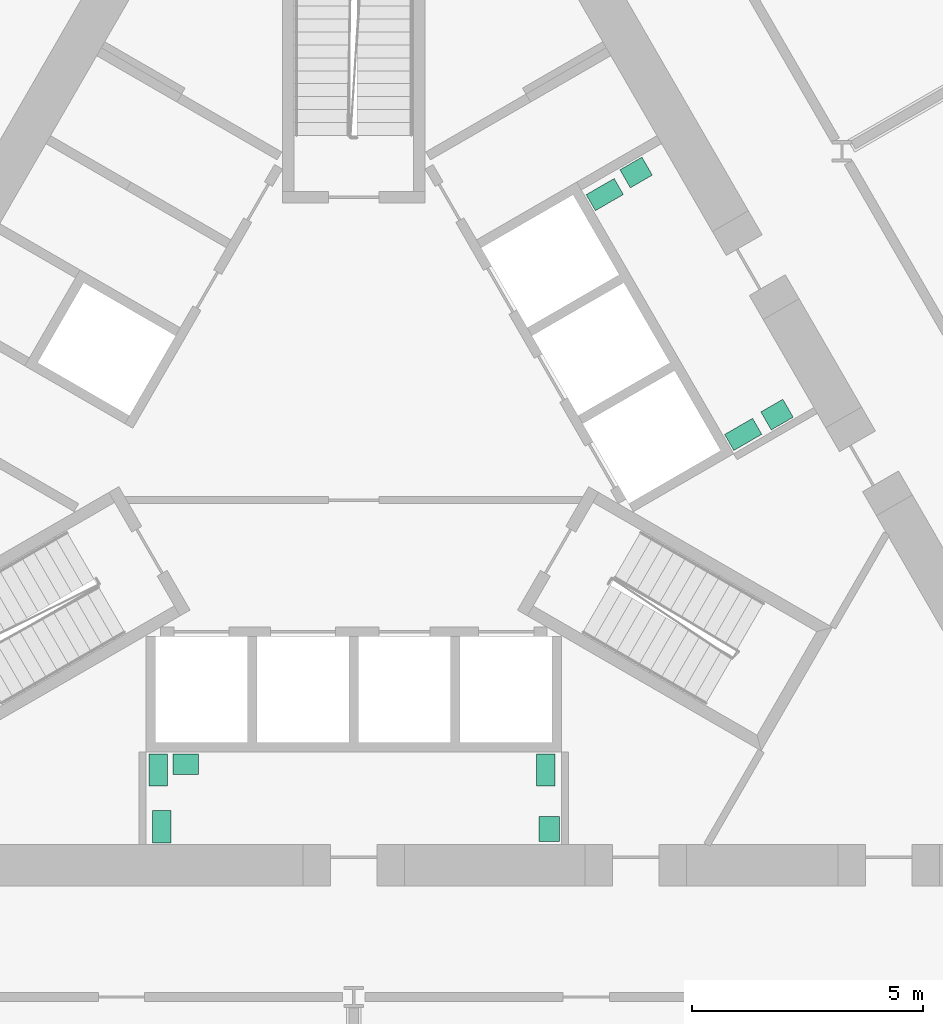
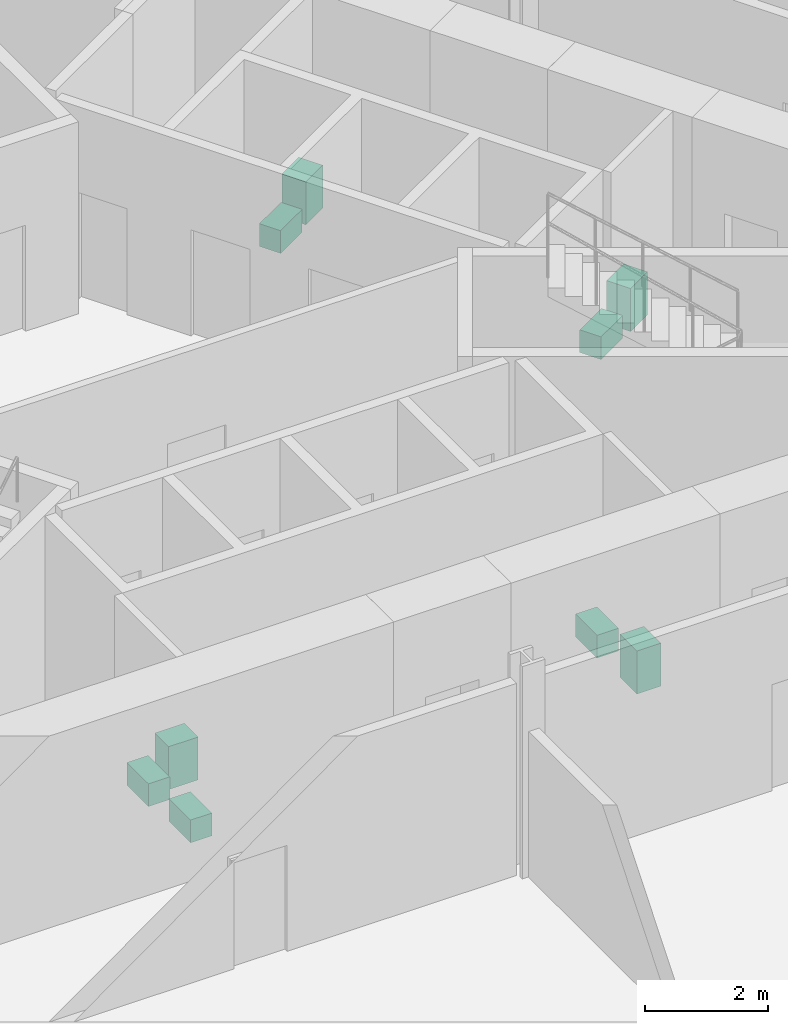
# One storey, part 19 of 20: 9 sanitary terminals.
"""IFC4 building model written with IfcOpenShell, lengths in metres."""

from ifc_helpers import new_model, si_unit, direction, frame, origin, origin_2d, place, context, subcontext, project, spatial, rectangle, extrude, material, type_object, element, save


model = new_model("IFC4")

# Units and contexts
model_context = context("Model", 3, precision=1e-05, world=origin(), true_north=direction((0.0, 1.0)))
body_context = subcontext(model_context, "Body", "Model", "MODEL_VIEW")
ifc_project = project(units=[si_unit("LENGTHUNIT", "METRE"), si_unit("AREAUNIT", "SQUARE_METRE"), si_unit("VOLUMEUNIT", "CUBIC_METRE"), si_unit("PLANEANGLEUNIT", "RADIAN"), si_unit("MASSUNIT", "GRAM", prefix="KILO")], contexts=[model_context])

# Site, building, storey
site_placement = place(None, origin())
site = spatial("IfcSite", under=ifc_project, at=site_placement, CompositionType="ELEMENT")
building_placement = place(site_placement, origin())
building = spatial("IfcBuilding", under=site, at=building_placement, Name="Cormorant Prow Tower", CompositionType="ELEMENT")
storey_placement = place(building_placement, frame((0.0, 0.0, 59.39990234375)))
storey = spatial("IfcBuildingStorey", under=building, at=storey_placement, Name="L12", CompositionType="ELEMENT", Elevation=59.39990234375)

# Sanitary terminals
ifc_material_1 = material(Name="Vitreous china")
sanitary_terminal_type_1 = type_object("IfcSanitaryTerminalType", Name="Wash basin 550x450", PredefinedType="WASHHANDBASIN", material=ifc_material_1)
for number, where, z_axis, x_axis, name in (
    (1, (4.235107421875, -8.574951171875, 0.0), (0.0, 0.0, 1.0), (0.0, 1.0, 0.0), "Wash basin"),
    (2, (-3.639892578125, -7.1708984375, 0.0), (0.0, 0.0, 1.0), (-1.0, 0.0, 0.0), "Wash basin"),
    (3, (6.118896484375, 5.651611328125, 0.0), (0.0, 0.0, 1.0), (-0.866042856549, -0.499969769706, 0.0), "Wash basin"),
    (4, (9.172119140625, 0.405517578125, 0.0), (0.0, 0.0, 1.0), (0.866016677006, 0.500015114919, 0.0), "Wash basin"),
):
    element("IfcSanitaryTerminal", number, at=place(storey_placement, frame(where, z_axis=z_axis, x_axis=x_axis)), inside=storey, type_object=sanitary_terminal_type_1, Name=name, PredefinedType="WASHHANDBASIN", context=body_context, shape_type="SweptSolid", body=[
        extrude(rectangle(XDim=0.550048828125, YDim=0.449951171875, at=origin_2d()), origin(), (0.0, 0.0, 1.0), 0.85009765625),
    ])
ifc_material_2 = material(Name="Vitreous china")
sanitary_terminal_type_2 = type_object("IfcSanitaryTerminalType", Name="Water closet 400x700", PredefinedType="WCSEAT", material=ifc_material_2)
for number, where, z_axis, x_axis, name in (
    (5, (-4.239990234375, -7.2958984375, 0.0), (0.0, 0.0, 1.0), (-1.0, 0.0, 0.0), "Water closet"),
    (6, (4.159912109375, -7.2958984375, 0.0), (0.0, 0.0, 1.0), (-1.0, 0.0, 0.0), "Water closet"),
    (7, (-4.159912109375, -8.52490234375, 0.0), (0.0, 0.0, 1.0), (1.0, 0.0, 0.0), "Water closet"),
    (8, (8.4384765625, -0.02392578125, 0.0), (0.0, 0.0, 1.0), (0.5, -0.866025403784, 0.0), "Water closet"),
    (9, (5.438720703125, 5.172119140625, 0.0), (0.0, 0.0, 1.0), (0.5, -0.866025403784, 0.0), "Water closet"),
):
    element("IfcSanitaryTerminal", number, at=place(storey_placement, frame(where, z_axis=z_axis, x_axis=x_axis)), inside=storey, type_object=sanitary_terminal_type_2, Name=name, PredefinedType="WCSEAT", context=body_context, shape_type="SweptSolid", body=[
        extrude(rectangle(XDim=0.39990234375, YDim=0.699951171875, at=origin_2d()), origin(), (0.0, 0.0, 1.0), 0.449951171875),
    ])

save(model, "model.ifc")
